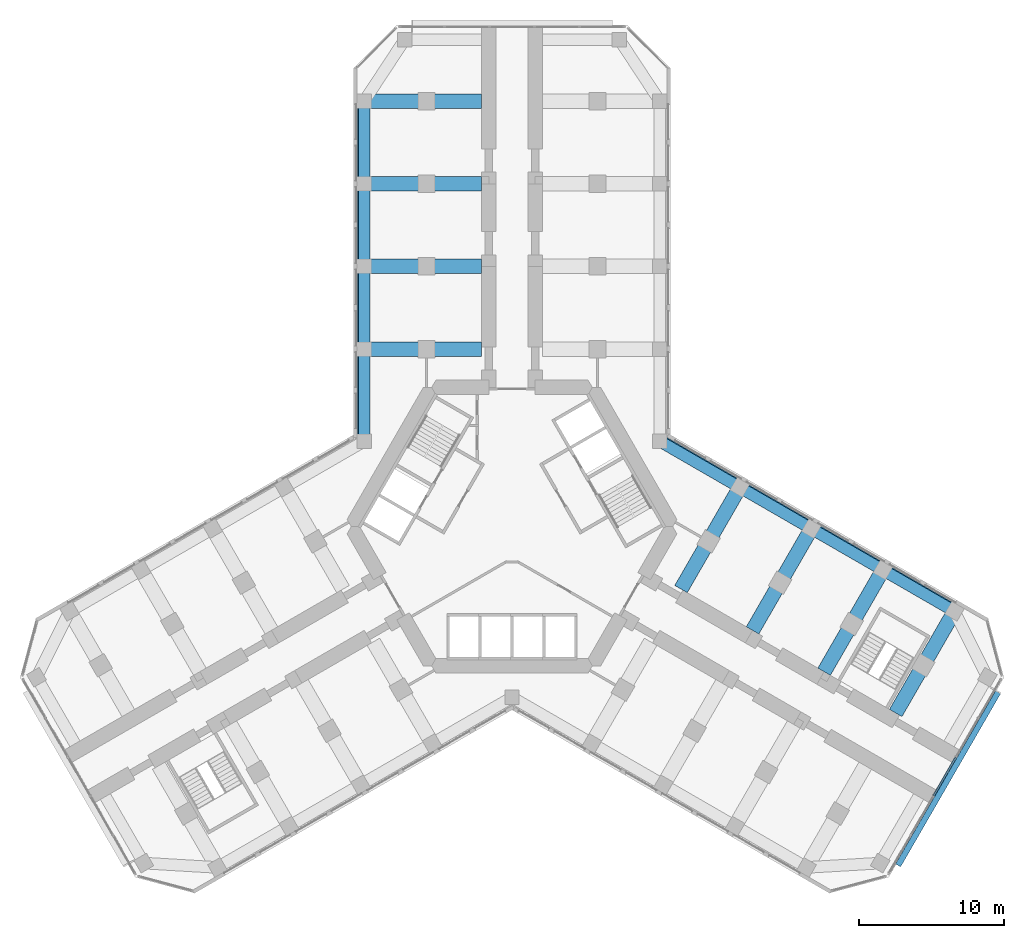
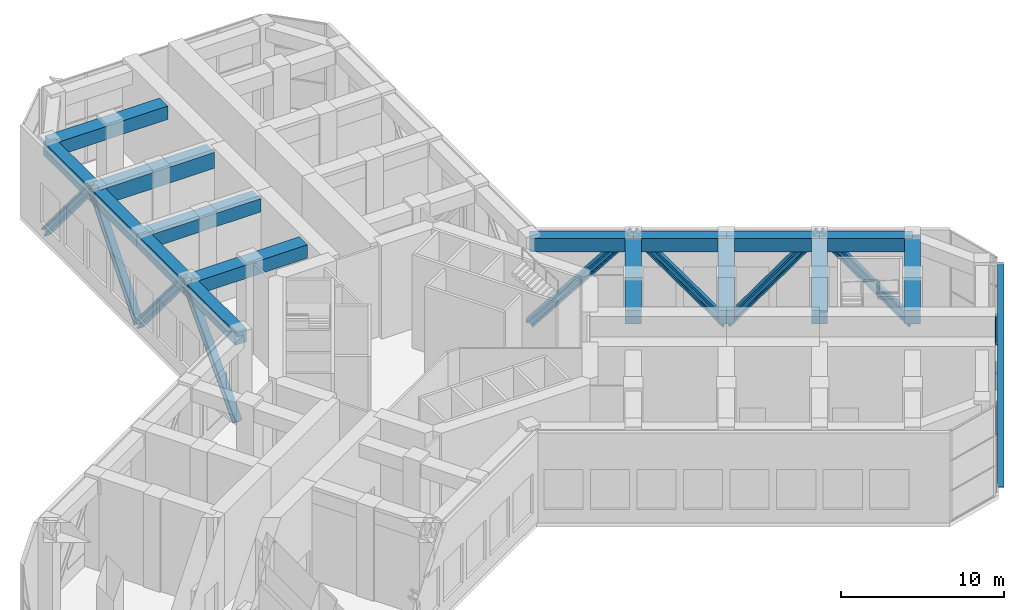
# One storey, part 6 of 17: 16 beams, 12 members, 1 element without a shape of its own.
"""IFC4 building model written with IfcOpenShell, lengths in metres."""

from ifc_helpers import new_model, si_unit, direction, frame, origin, origin_2d, place, context, subcontext, project, spatial, rectangle, i_section, extrude, material, material_profile, profile_set, type_object, element, aggregate, save


model = new_model("IFC4")

# Units and contexts
model_context = context("Model", 3, precision=1e-05, world=origin(), true_north=direction((0.0, 1.0)))
body_context = subcontext(model_context, "Body", "Model", "MODEL_VIEW")
ifc_project = project(units=[si_unit("LENGTHUNIT", "METRE"), si_unit("AREAUNIT", "SQUARE_METRE"), si_unit("VOLUMEUNIT", "CUBIC_METRE"), si_unit("PLANEANGLEUNIT", "RADIAN"), si_unit("MASSUNIT", "GRAM", prefix="KILO")], contexts=[model_context])

# Site, building, storey
site_placement = place(None, origin())
site = spatial("IfcSite", under=ifc_project, at=site_placement, CompositionType="ELEMENT")
building_placement = place(site_placement, origin())
building = spatial("IfcBuilding", under=site, at=building_placement, Name="Kosmar Iwan School Tower", CompositionType="ELEMENT")
storey_placement = place(building_placement, frame((0.0, 0.0, 113.199951171875)))
storey = spatial("IfcBuildingStorey", under=building, at=storey_placement, Name="L28", CompositionType="ELEMENT", Elevation=113.199951171875)

# Members
ifc_material_1 = material(Name="Steel S355", Category="steel")
ifc_material_profile_1 = material_profile(ifc_material_1, i_section(OverallWidth=0.4541015625, OverallDepth=0.569091796875, WebThickness=0.077880859375, FlangeThickness=0.125, FilletRadius=0.014892578125, at=origin_2d()), Name="HD 400x1086")
ifc_profile_set_1 = profile_set([ifc_material_profile_1], Name="Steel S355")
member_type_1 = type_object("IfcMemberType", Name="Belt truss diagonal HD 400x1086", PredefinedType="BRACE", material=ifc_profile_set_1)
member_1_placement = place(storey_placement, frame((-10.443115234375, 5.888916015625, 0.0), z_axis=(0.0, 0.683653048363, 0.729807172795), x_axis=(-1.0, 0.0, 0.0)))
element("IfcMember", 1, at=member_1_placement, inside=storey, type_object=member_type_1, Name="Belt truss diagonal AL1", PredefinedType="BRACE", context=body_context, shape_type="SweptSolid", body=[
    extrude(i_section(OverallWidth=0.4541015625, OverallDepth=0.569091796875, WebThickness=0.077880859375, FlangeThickness=0.125, FilletRadius=0.014892578125, at=origin_2d()), origin(), (0.0, 0.0, 1.0), 9.304443359375),
])
for number, where, z_axis, x_axis, name in (
    (2, (-10.443115234375, 12.25, 6.79052734375), (0.0, 0.642921448835, -0.765932118812), (-1.0, 0.0, 0.0), "Belt truss diagonal AL2"),
    (3, (-10.443115234375, 17.949951171875, 0.0), (0.0, 0.642921448835, 0.765932118812), (-1.0, 0.0, 0.0), "Belt truss diagonal AL3"),
):
    element("IfcMember", number, at=place(storey_placement, frame(where, z_axis=z_axis, x_axis=x_axis)), inside=storey, type_object=member_type_1, Name=name, PredefinedType="BRACE", context=body_context, shape_type="SweptSolid", body=[
        extrude(i_section(OverallWidth=0.4541015625, OverallDepth=0.569091796875, WebThickness=0.077880859375, FlangeThickness=0.125, FilletRadius=0.014892578125, at=origin_2d()), origin(), (0.0, 0.0, 1.0), 8.86572265625),
    ])
member_2_placement = place(storey_placement, frame((-10.443115234375, 23.64990234375, 6.79052734375), z_axis=(0.0, 0.642937603422, -0.765918558403), x_axis=(-1.0, 0.0, 0.0)))
element("IfcMember", 4, at=member_2_placement, inside=storey, type_object=member_type_1, Name="Belt truss diagonal AL4", PredefinedType="BRACE", context=body_context, shape_type="SweptSolid", body=[
    extrude(i_section(OverallWidth=0.4541015625, OverallDepth=0.569091796875, WebThickness=0.077880859375, FlangeThickness=0.125, FilletRadius=0.014892578125, at=origin_2d()), origin(), (0.0, 0.0, 1.0), 8.865966796875),
])
member_3_placement = place(storey_placement, frame((10.321533203125, 6.099365234375, 0.0), z_axis=(0.592058588083, -0.341816487633, 0.729813755049), x_axis=(0.49999045822, 0.866030912664, 0.0)))
element("IfcMember", 5, at=member_3_placement, inside=storey, type_object=member_type_1, Name="Belt truss diagonal CL1", PredefinedType="BRACE", context=body_context, shape_type="SweptSolid", body=[
    extrude(i_section(OverallWidth=0.4541015625, OverallDepth=0.569091796875, WebThickness=0.077880859375, FlangeThickness=0.125, FilletRadius=0.014892578125, at=origin_2d()), origin(), (0.0, 0.0, 1.0), 9.304443359375),
])
for number, where, z_axis, x_axis, name in (
    (6, (15.830322265625, 2.9189453125, 6.79052734375), (0.556782035873, -0.321473539086, -0.76592984548), (0.50001782563, 0.866015111908, 0.0), "Belt truss diagonal CL2"),
    (7, (20.7666015625, 0.06884765625, 0.0), (0.556786964695, -0.321448847069, 0.765936625749), (0.49998570155, 0.866033658841, 0.0), "Belt truss diagonal CL3"),
):
    element("IfcMember", number, at=place(storey_placement, frame(where, z_axis=z_axis, x_axis=x_axis)), inside=storey, type_object=member_type_1, Name=name, PredefinedType="BRACE", context=body_context, shape_type="SweptSolid", body=[
        extrude(i_section(OverallWidth=0.4541015625, OverallDepth=0.569091796875, WebThickness=0.077880859375, FlangeThickness=0.125, FilletRadius=0.014892578125, at=origin_2d()), origin(), (0.0, 0.0, 1.0), 8.86572265625),
    ])
member_4_placement = place(storey_placement, frame((25.702880859375, -2.781005859375, 6.79052734375), z_axis=(0.556801036184, -0.321468610109, -0.7659181019), x_axis=(0.499999279071, 0.866025820012, 0.0)))
element("IfcMember", 8, at=member_4_placement, inside=storey, type_object=member_type_1, Name="Belt truss diagonal CL4", PredefinedType="BRACE", context=body_context, shape_type="SweptSolid", body=[
    extrude(i_section(OverallWidth=0.4541015625, OverallDepth=0.569091796875, WebThickness=0.077880859375, FlangeThickness=0.125, FilletRadius=0.014892578125, at=origin_2d()), origin(), (0.0, 0.0, 1.0), 8.865966796875),
])

# Beams
ifc_material_2 = material(Name="Concrete C50/60", Category="concrete")
ifc_material_profile_2 = material_profile(ifc_material_2, rectangle(XDim=0.800048828125, YDim=1.0, at=origin_2d()), Name="RC 800x1000 + HD 400x634")
ifc_profile_set_2 = profile_set([ifc_material_profile_2], Name="Concrete C50/60")
beam_type_1 = type_object("IfcBeamType", Name="Composite edge beam 800x1000 HD 400x634", PredefinedType="BEAM", material=ifc_profile_set_2)
beam_1_placement = place(storey_placement, frame((-10.199951171875, 5.888916015625, 6.25), z_axis=(0.0, 1.0, 0.0), x_axis=(-1.0, 0.0, 0.0)))
element("IfcBeam", 9, at=beam_1_placement, inside=storey, type_object=beam_type_1, Name="Edge beam AL1", PredefinedType="BEAM", context=body_context, shape_type="SweptSolid", body=[
    extrude(rectangle(XDim=0.800048828125, YDim=1.0, at=origin_2d()), origin(), (0.0, 0.0, 1.0), 6.361083984375),
])
for number, where, z_axis, x_axis, name in (
    (10, (-10.199951171875, 12.25, 6.25), (0.0, 1.0, 0.0), (-1.0, 0.0, 0.0), "Edge beam AL2"),
    (11, (-10.199951171875, 17.949951171875, 6.25), (0.0, 1.0, 0.0), (-1.0, 0.0, 0.0), "Edge beam AL3"),
):
    element("IfcBeam", number, at=place(storey_placement, frame(where, z_axis=z_axis, x_axis=x_axis)), inside=storey, type_object=beam_type_1, Name=name, PredefinedType="BEAM", context=body_context, shape_type="SweptSolid", body=[
        extrude(rectangle(XDim=0.800048828125, YDim=1.0, at=origin_2d()), origin(), (0.0, 0.0, 1.0), 5.699951171875),
    ])
beam_2_placement = place(storey_placement, frame((-10.199951171875, 23.64990234375, 6.25), z_axis=(0.0, 1.0, 0.0), x_axis=(-1.0, 0.0, 0.0)))
element("IfcBeam", 12, at=beam_2_placement, inside=storey, type_object=beam_type_1, Name="Edge beam AL4", PredefinedType="BEAM", context=body_context, shape_type="SweptSolid", body=[
    extrude(rectangle(XDim=0.800048828125, YDim=1.0, at=origin_2d()), origin(), (0.0, 0.0, 1.0), 5.7001953125),
])
beam_3_placement = place(storey_placement, frame((10.199951171875, 5.888916015625, 6.25), z_axis=(0.866030912664, -0.49999045822, 0.0), x_axis=(0.49999045822, 0.866030912664, 0.0)))
element("IfcBeam", 13, at=beam_3_placement, inside=storey, type_object=beam_type_1, Name="Edge beam CL1", PredefinedType="BEAM", context=body_context, shape_type="SweptSolid", body=[
    extrude(rectangle(XDim=0.800048828125, YDim=1.0, at=origin_2d()), origin(), (0.0, 0.0, 1.0), 6.36083984375),
])
beam_4_placement = place(storey_placement, frame((15.708740234375, 2.70849609375, 6.25), z_axis=(0.866025820012, -0.499999279071, 0.0), x_axis=(0.499999279071, 0.866025820012, 0.0)))
element("IfcBeam", 14, at=beam_4_placement, inside=storey, type_object=beam_type_1, Name="Edge beam CL2", PredefinedType="BEAM", context=body_context, shape_type="SweptSolid", body=[
    extrude(rectangle(XDim=0.800048828125, YDim=1.0, at=origin_2d()), origin(), (0.0, 0.0, 1.0), 5.7001953125),
])
for number, where, z_axis, x_axis, name in (
    (15, (20.645263671875, -0.1416015625, 6.25), (0.866033658841, -0.49998570155, 0.0), (0.49998570155, 0.866033658841, 0.0), "Edge beam CL3"),
    (16, (25.58154296875, -2.991455078125, 6.25), (0.866015111908, -0.50001782563, 0.0), (0.50001782563, 0.866015111908, 0.0), "Edge beam CL4"),
):
    element("IfcBeam", number, at=place(storey_placement, frame(where, z_axis=z_axis, x_axis=x_axis)), inside=storey, type_object=beam_type_1, Name=name, PredefinedType="BEAM", context=body_context, shape_type="SweptSolid", body=[
        extrude(rectangle(XDim=0.800048828125, YDim=1.0, at=origin_2d()), origin(), (0.0, 0.0, 1.0), 5.699951171875),
    ])
ifc_material_3 = material(Name="Concrete C50/60", Category="concrete")
ifc_material_profile_3 = material_profile(ifc_material_3, rectangle(XDim=1.0, YDim=1.199951171875, at=origin_2d()), Name="RC 1000x1200 + HD 400x634")
ifc_profile_set_3 = profile_set([ifc_material_profile_3], Name="Concrete C50/60")
beam_type_2 = type_object("IfcBeamType", Name="Composite transfer beam 1000x1200 HD 400x634", PredefinedType="BEAM", material=ifc_profile_set_3)
beam_5_placement = place(storey_placement, frame((-10.199951171875, 23.64990234375, 6.150146484375), z_axis=(1.0, 0.0, 0.0), x_axis=(0.0, 1.0, 0.0)))
element("IfcBeam", 17, at=beam_5_placement, inside=storey, type_object=beam_type_2, Name="Transfer beam AL3", PredefinedType="BEAM", context=body_context, shape_type="SweptSolid", body=[
    extrude(rectangle(XDim=1.0, YDim=1.199951171875, at=origin_2d()), origin(), (0.0, 0.0, 1.0), 8.099853515625),
])
ifc_material_4 = material(Name="Concrete C50/60", Category="concrete")
ifc_material_profile_4 = material_profile(ifc_material_4, rectangle(XDim=1.0, YDim=1.0, at=origin_2d()), Name="RC 1000x1000 + HD 400x347")
ifc_profile_set_4 = profile_set([ifc_material_profile_4], Name="Concrete C50/60")
beam_type_3 = type_object("IfcBeamType", Name="Composite transverse beam 1000x1000 HD 400x347", PredefinedType="BEAM", material=ifc_profile_set_4)
for number, where, z_axis, x_axis, name in (
    (18, (-10.199951171875, 12.25, 6.25), (1.0, 0.0, 0.0), (0.0, 1.0, 0.0), "Transverse beam AL1"),
    (19, (-10.199951171875, 17.949951171875, 6.25), (1.0, 0.0, 0.0), (0.0, 1.0, 0.0), "Transverse beam AL2"),
    (20, (-10.199951171875, 29.35009765625, 6.25), (1.0, 0.0, 0.0), (0.0, 1.0, 0.0), "Transverse beam AL4"),
):
    element("IfcBeam", number, at=place(storey_placement, frame(where, z_axis=z_axis, x_axis=x_axis)), inside=storey, type_object=beam_type_3, Name=name, PredefinedType="BEAM", context=body_context, shape_type="SweptSolid", body=[
        extrude(rectangle(XDim=1.0, YDim=1.0, at=origin_2d()), origin(), (0.0, 0.0, 1.0), 8.099853515625),
    ])
beam_6_placement = place(storey_placement, frame((15.708740234375, 2.70849609375, 6.25), z_axis=(-0.499999880539, -0.866025472755, 0.0), x_axis=(0.866025472755, -0.499999880539, 0.0)))
element("IfcBeam", 21, at=beam_6_placement, inside=storey, type_object=beam_type_3, Name="Transverse beam CL1", PredefinedType="BEAM", context=body_context, shape_type="SweptSolid", body=[
    extrude(rectangle(XDim=1.0, YDim=1.0, at=origin_2d()), origin(), (0.0, 0.0, 1.0), 8.10009765625),
])
beam_7_placement = place(storey_placement, frame((20.645263671875, -0.1416015625, 6.25), z_axis=(-0.500012932018, -0.866017937352, 0.0), x_axis=(0.866017937352, -0.500012932018, 0.0)))
element("IfcBeam", 22, at=beam_7_placement, inside=storey, type_object=beam_type_3, Name="Transverse beam CL2", PredefinedType="BEAM", context=body_context, shape_type="SweptSolid", body=[
    extrude(rectangle(XDim=1.0, YDim=1.0, at=origin_2d()), origin(), (0.0, 0.0, 1.0), 8.099853515625),
])
for number, where, z_axis, x_axis, name in (
    (23, (25.58154296875, -2.991455078125, 6.25), (-0.499999880539, -0.866025472755, 0.0), (0.866025472755, -0.499999880539, 0.0), "Transverse beam CL3"),
    (24, (30.517822265625, -5.841552734375, 6.25), (-0.499999880539, -0.866025472755, 0.0), (0.866025472755, -0.499999880539, 0.0), "Transverse beam CL4"),
):
    element("IfcBeam", number, at=place(storey_placement, frame(where, z_axis=z_axis, x_axis=x_axis)), inside=storey, type_object=beam_type_3, Name=name, PredefinedType="BEAM", context=body_context, shape_type="SweptSolid", body=[
        extrude(rectangle(XDim=1.0, YDim=1.0, at=origin_2d()), origin(), (0.0, 0.0, 1.0), 8.10009765625),
    ])

# Member
ifc_material_5 = material(Name="Black anodised aluminium", Category="aluminium")
ifc_material_profile_5 = material_profile(ifc_material_5, rectangle(XDim=0.10009765625, YDim=0.39990234375, at=origin_2d()), Name="FIN 100x400")
ifc_profile_set_5 = profile_set([ifc_material_profile_5], Name="Black anodised aluminium")
member_type_2 = type_object("IfcMemberType", Name="Diagonal fin 100x400", PredefinedType="USERDEFINED", material=ifc_profile_set_5)
member_5_placement = place(storey_placement, frame((26.645263671875, -23.34912109375, -0.14990234375), z_axis=(0.445884805648, 0.772309410313, 0.452465374183), x_axis=(-0.226229551412, -0.391848318744, 0.891781971765)))
element("IfcMember", 25, at=member_5_placement, inside=storey, type_object=member_type_2, Name="Diagonal fin L28-F03", ObjectType="FIN", PredefinedType="USERDEFINED", context=body_context, shape_type="SweptSolid", body=[
    extrude(rectangle(XDim=0.10009765625, YDim=0.39990234375, at=origin_2d()), origin(), (0.0, 0.0, 1.0), 15.470703125),
])

# Curtain wall, members
ifc_material_6 = material(Name="Black aluminium louvres and glass", Category="aluminium")
curtain_wall_type = type_object("IfcCurtainWallType", Name="Plant floor louvred curtain wall", PredefinedType="USERDEFINED", material=ifc_material_6)
curtain_wall_placement = place(storey_placement, origin())
curtain_wall = element("IfcCurtainWall", 26, at=curtain_wall_placement, inside=storey, type_object=curtain_wall_type, Name="Curtain wall L28-F03", ObjectType="LOUVRED CURTAIN WALL", PredefinedType="USERDEFINED")
ifc_material_7 = material(Name="Black anodised aluminium", Category="aluminium")
ifc_material_profile_6 = material_profile(ifc_material_7, rectangle(XDim=0.1201171875, YDim=0.06005859375, at=origin_2d()), Name="TRANSOM 60x120")
ifc_profile_set_6 = profile_set([ifc_material_profile_6], Name="Black anodised aluminium")
member_type_3 = type_object("IfcMemberType", Name="Transom 60x120", PredefinedType="USERDEFINED", material=ifc_profile_set_6)
member_6_placement = place(storey_placement, frame((29.096435546875, -18.553466796875, 0.030029296875), z_axis=(0.499975102327, 0.866039777986, 0.0), x_axis=(-0.866039777986, 0.499975102327, 0.0)))
member_6 = element("IfcMember", 27, at=member_6_placement, type_object=member_type_3, Name="CW4 transom 3.1", ObjectType="TRANSOM", PredefinedType="USERDEFINED", context=body_context, shape_type="SweptSolid", body=[
    extrude(rectangle(XDim=0.1201171875, YDim=0.06005859375, at=origin_2d()), origin(), (0.0, 0.0, 1.0), 3.039306640625),
])
member_7_placement = place(storey_placement, frame((29.096435546875, -18.553466796875, 3.375), z_axis=(0.499975102327, 0.866039777986, 0.0), x_axis=(-0.866039777986, 0.499975102327, 0.0)))
member_7 = element("IfcMember", 28, at=member_7_placement, type_object=member_type_3, Name="CW4 transom 3.2", ObjectType="TRANSOM", PredefinedType="USERDEFINED", context=body_context, shape_type="SweptSolid", body=[
    extrude(rectangle(XDim=0.1201171875, YDim=0.06005859375, at=origin_2d()), origin(), (0.0, 0.0, 1.0), 3.039306640625),
])
member_8_placement = place(storey_placement, frame((29.096435546875, -18.553466796875, 6.719970703125), z_axis=(0.499975102327, 0.866039777986, 0.0), x_axis=(-0.866039777986, 0.499975102327, 0.0)))
member_8 = element("IfcMember", 29, at=member_8_placement, type_object=member_type_3, Name="CW4 transom 3.3", ObjectType="TRANSOM", PredefinedType="USERDEFINED", context=body_context, shape_type="SweptSolid", body=[
    extrude(rectangle(XDim=0.1201171875, YDim=0.06005859375, at=origin_2d()), origin(), (0.0, 0.0, 1.0), 3.039306640625),
])
aggregate(curtain_wall, [member_6, member_7, member_8])

save(model, "model.ifc")
